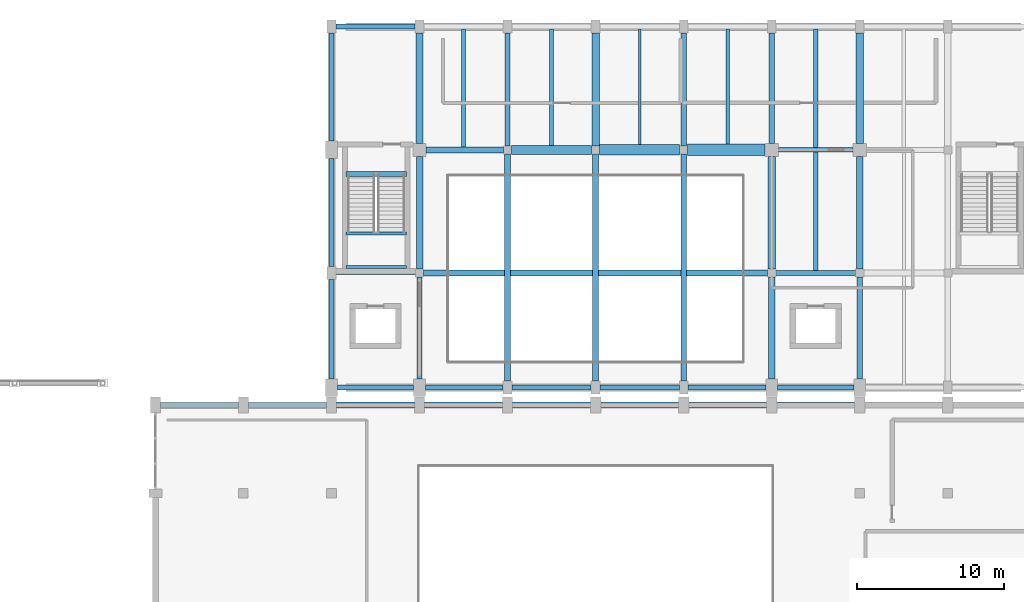
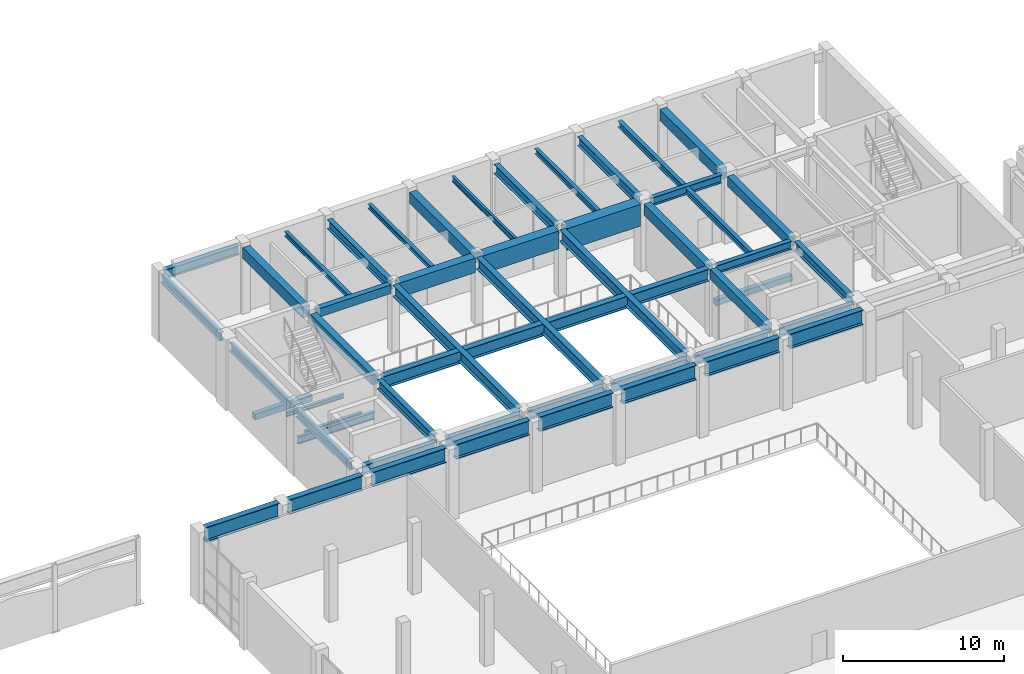
# One storey, part 17 of 41: 51 beams.
"""IFC4 building model written with IfcOpenShell, lengths in metres."""

from ifc_helpers import new_model, si_unit, direction, frame, origin, origin_2d, place, context, subcontext, project, spatial, rectangle, i_section, extrude, material, material_profile, profile_set, type_object, element, save


model = new_model("IFC4")

# Units and contexts
model_context = context("Model", 3, precision=1e-05, world=origin(), true_north=direction((0.0, 1.0)))
body_context = subcontext(model_context, "Body", "Model", "MODEL_VIEW")
ifc_project = project(units=[si_unit("LENGTHUNIT", "METRE"), si_unit("AREAUNIT", "SQUARE_METRE"), si_unit("VOLUMEUNIT", "CUBIC_METRE"), si_unit("PLANEANGLEUNIT", "RADIAN"), si_unit("MASSUNIT", "GRAM", prefix="KILO")], contexts=[model_context])

# Site, building, storey
site_placement = place(None, origin())
site = spatial("IfcSite", under=ifc_project, at=site_placement, CompositionType="ELEMENT")
building_placement = place(site_placement, origin())
building = spatial("IfcBuilding", under=site, at=building_placement, Name="Vaelkrest Opera House", CompositionType="ELEMENT")
storey_placement = place(building_placement, frame((0.0, 0.0, 24.60009765625)))
storey = spatial("IfcBuildingStorey", under=building, at=storey_placement, Name="L05", CompositionType="ELEMENT", Elevation=24.60009765625)

# Beams
ifc_material_1 = material(Name="Concrete C50/60", Category="concrete")
ifc_material_profile_1 = material_profile(ifc_material_1, rectangle(XDim=0.39990234375, YDim=0.64990234375, at=origin_2d()), Name="RCB400X650")
ifc_profile_set_1 = profile_set([ifc_material_profile_1], Name="Concrete C50/60")
beam_type_1 = type_object("IfcBeamType", Name="B01", PredefinedType="BEAM", material=ifc_profile_set_1)
beam_1_placement = place(storey_placement, frame((-11.550048828125, 33.60009765625, 4.77978515625), z_axis=(1.0, 0.0, 0.0), x_axis=(0.0, 1.0, 0.0)))
element("IfcBeam", 1, at=beam_1_placement, inside=storey, type_object=beam_type_1, Name="Beam BM-V2-L05-1157", PredefinedType="BEAM", context=body_context, shape_type="SweptSolid", body=[
    extrude(rectangle(XDim=0.39990234375, YDim=0.64990234375, at=origin_2d()), origin(), (0.0, 0.0, 1.0), 5.275146484375),
])
ifc_material_profile_2 = material_profile(ifc_material_1, rectangle(XDim=0.449951171875, YDim=0.75, at=origin_2d()), Name="RCB450X750")
ifc_profile_set_2 = profile_set([ifc_material_profile_2], Name="Concrete C50/60")
beam_type_2 = type_object("IfcBeamType", Name="B02", PredefinedType="BEAM", material=ifc_profile_set_2)
beam_2_placement = place(storey_placement, frame((-12.0, 25.47509765625, 4.72998046875), z_axis=(0.0, 1.0, 0.0), x_axis=(-1.0, 0.0, 0.0)))
element("IfcBeam", 2, at=beam_2_placement, inside=storey, type_object=beam_type_2, Name="Beam BM-V2-L05-1175", PredefinedType="BEAM", context=body_context, shape_type="SweptSolid", body=[
    extrude(rectangle(XDim=0.449951171875, YDim=0.75, at=origin_2d()), origin(), (0.0, 0.0, 1.0), 7.6748046875),
])
beam_3_placement = place(storey_placement, frame((12.0, 18.0, 4.72998046875), z_axis=(0.0, 1.0, 0.0), x_axis=(-1.0, 0.0, 0.0)))
element("IfcBeam", 3, at=beam_3_placement, inside=storey, type_object=beam_type_2, Name="Beam BM-V2-L05-1183", PredefinedType="BEAM", context=body_context, shape_type="SweptSolid", body=[
    extrude(rectangle(XDim=0.449951171875, YDim=0.75, at=origin_2d()), origin(), (0.0, 0.0, 1.0), 6.925048828125),
])
beam_4_placement = place(storey_placement, frame((18.0, 25.47509765625, 4.72998046875), z_axis=(0.0, 1.0, 0.0), x_axis=(-1.0, 0.0, 0.0)))
element("IfcBeam", 4, at=beam_4_placement, inside=storey, type_object=beam_type_2, Name="Beam BM-V2-L05-1187", PredefinedType="BEAM", context=body_context, shape_type="SweptSolid", body=[
    extrude(rectangle(XDim=0.449951171875, YDim=0.75, at=origin_2d()), origin(), (0.0, 0.0, 1.0), 7.6748046875),
])
ifc_material_profile_3 = material_profile(ifc_material_1, rectangle(XDim=0.5, YDim=0.85009765625, at=origin_2d()), Name="RCB500X850")
ifc_profile_set_3 = profile_set([ifc_material_profile_3], Name="Concrete C50/60")
beam_type_3 = type_object("IfcBeamType", Name="B03", PredefinedType="BEAM", material=ifc_profile_set_3)
beam_5_placement = place(storey_placement, frame((-12.0, 34.050048828125, 4.679931640625), z_axis=(0.0, 1.0, 0.0), x_axis=(-1.0, 0.0, 0.0)))
element("IfcBeam", 5, at=beam_5_placement, inside=storey, type_object=beam_type_3, Name="Beam BM-V2-L05-1176", PredefinedType="BEAM", context=body_context, shape_type="SweptSolid", body=[
    extrude(rectangle(XDim=0.5, YDim=0.85009765625, at=origin_2d()), origin(), (0.0, 0.0, 1.0), 7.5),
])
beam_6_placement = place(storey_placement, frame((0.0, 33.875, 4.679931640625), z_axis=(0.0, 1.0, 0.0), x_axis=(-1.0, 0.0, 0.0)))
element("IfcBeam", 6, at=beam_6_placement, inside=storey, type_object=beam_type_3, Name="Beam BM-V2-L05-1180", PredefinedType="BEAM", context=body_context, shape_type="SweptSolid", body=[
    extrude(rectangle(XDim=0.5, YDim=0.85009765625, at=origin_2d()), origin(), (0.0, 0.0, 1.0), 7.675048828125),
])
beam_7_placement = place(storey_placement, frame((12.0, 25.47509765625, 4.679931640625), z_axis=(0.0, 1.0, 0.0), x_axis=(-1.0, 0.0, 0.0)))
element("IfcBeam", 7, at=beam_7_placement, inside=storey, type_object=beam_type_3, Name="Beam BM-V2-L05-1184", PredefinedType="BEAM", context=body_context, shape_type="SweptSolid", body=[
    extrude(rectangle(XDim=0.5, YDim=0.85009765625, at=origin_2d()), origin(), (0.0, 0.0, 1.0), 7.6748046875),
])
beam_8_placement = place(storey_placement, frame((18.0, 34.050048828125, 4.679931640625), z_axis=(0.0, 1.0, 0.0), x_axis=(-1.0, 0.0, 0.0)))
element("IfcBeam", 8, at=beam_8_placement, inside=storey, type_object=beam_type_3, Name="Beam BM-V2-L05-1188", PredefinedType="BEAM", context=body_context, shape_type="SweptSolid", body=[
    extrude(rectangle(XDim=0.5, YDim=0.85009765625, at=origin_2d()), origin(), (0.0, 0.0, 1.0), 7.5),
])
ifc_material_profile_4 = material_profile(ifc_material_1, rectangle(XDim=0.60009765625, YDim=1.10009765625, at=origin_2d()), Name="RCB600X1100")
ifc_profile_set_4 = profile_set([ifc_material_profile_4], Name="Concrete C50/60")
beam_type_4 = type_object("IfcBeamType", Name="B05", PredefinedType="BEAM", material=ifc_profile_set_4)
beam_9_placement = place(storey_placement, frame((-5.72509765625, 33.60009765625, 4.554931640625), z_axis=(1.0, 0.0, 0.0), x_axis=(0.0, 1.0, 0.0)))
element("IfcBeam", 9, at=beam_9_placement, inside=storey, type_object=beam_type_4, Name="Beam BM-V2-L05-1158", PredefinedType="BEAM", context=body_context, shape_type="SweptSolid", body=[
    extrude(rectangle(XDim=0.60009765625, YDim=1.10009765625, at=origin_2d()), origin(), (0.0, 0.0, 1.0), 5.4501953125),
])
ifc_material_profile_5 = material_profile(ifc_material_1, rectangle(XDim=0.699951171875, YDim=1.35009765625, at=origin_2d()), Name="RCB700X1350")
ifc_profile_set_5 = profile_set([ifc_material_profile_5], Name="Concrete C50/60")
beam_type_5 = type_object("IfcBeamType", Name="B06", PredefinedType="BEAM", material=ifc_profile_set_5)
beam_10_placement = place(storey_placement, frame((0.27490234375, 33.60009765625, 4.429931640625), z_axis=(1.0, 0.0, 0.0), x_axis=(0.0, 1.0, 0.0)))
element("IfcBeam", 10, at=beam_10_placement, inside=storey, type_object=beam_type_5, Name="Beam BM-V2-L05-1159", PredefinedType="BEAM", context=body_context, shape_type="SweptSolid", body=[
    extrude(rectangle(XDim=0.699951171875, YDim=1.35009765625, at=origin_2d()), origin(), (0.0, 0.0, 1.0), 5.4501953125),
])
ifc_material_profile_6 = material_profile(ifc_material_1, rectangle(XDim=0.800048828125, YDim=1.64990234375, at=origin_2d()), Name="RCB800X1650")
ifc_profile_set_6 = profile_set([ifc_material_profile_6], Name="Concrete C50/60")
beam_type_6 = type_object("IfcBeamType", Name="B07", PredefinedType="BEAM", material=ifc_profile_set_6)
beam_11_placement = place(storey_placement, frame((6.27490234375, 33.60009765625, 4.27978515625), z_axis=(1.0, 0.0, 0.0), x_axis=(0.0, 1.0, 0.0)))
element("IfcBeam", 11, at=beam_11_placement, inside=storey, type_object=beam_type_6, Name="Beam BM-V2-L05-1160", PredefinedType="BEAM", context=body_context, shape_type="SweptSolid", body=[
    extrude(rectangle(XDim=0.800048828125, YDim=1.64990234375, at=origin_2d()), origin(), (0.0, 0.0, 1.0), 5.275146484375),
])
ifc_material_2 = material(Name="Steel A992 Gr50", Category="steel")
ifc_material_profile_7 = material_profile(ifc_material_2, i_section(OverallWidth=0.323974609375, OverallDepth=0.611083984375, WebThickness=0.0126953125, FlangeThickness=0.01904296875, at=origin_2d()), Name="W24X104")
ifc_profile_set_7 = profile_set([ifc_material_profile_7], Name="Steel A992 Gr50")
beam_type_7 = type_object("IfcBeamType", Name="B08", PredefinedType="BEAM", material=ifc_profile_set_7)
beam_12_placement = place(storey_placement, frame((12.449951171875, 33.60009765625, 4.79931640625), z_axis=(1.0, 0.0, 0.0), x_axis=(0.0, 1.0, 0.0)))
element("IfcBeam", 12, at=beam_12_placement, inside=storey, type_object=beam_type_7, Name="Beam BM-V2-L05-1161", PredefinedType="BEAM", context=body_context, shape_type="SweptSolid", body=[
    extrude(i_section(OverallWidth=0.323974609375, OverallDepth=0.611083984375, WebThickness=0.0126953125, FlangeThickness=0.01904296875, at=origin_2d()), origin(), (0.0, 0.0, 1.0), 5.10009765625),
])
ifc_material_profile_8 = material_profile(ifc_material_2, i_section(OverallWidth=0.35498046875, OverallDepth=0.695068359375, WebThickness=0.015380859375, FlangeThickness=0.02490234375, at=origin_2d()), Name="W27X146")
ifc_profile_set_8 = profile_set([ifc_material_profile_8], Name="Steel A992 Gr50")
beam_type_8 = type_object("IfcBeamType", Name="B10", PredefinedType="BEAM", material=ifc_profile_set_8)
beam_13_placement = place(storey_placement, frame((12.0, 34.050048828125, 4.75732421875), z_axis=(0.0, 1.0, 0.0), x_axis=(-1.0, 0.0, 0.0)))
element("IfcBeam", 13, at=beam_13_placement, inside=storey, type_object=beam_type_8, Name="Beam BM-V2-L05-1185", PredefinedType="BEAM", context=body_context, shape_type="SweptSolid", body=[
    extrude(i_section(OverallWidth=0.35498046875, OverallDepth=0.695068359375, WebThickness=0.015380859375, FlangeThickness=0.02490234375, at=origin_2d()), origin(), (0.0, 0.0, 1.0), 7.5),
])
ifc_material_profile_9 = material_profile(ifc_material_2, i_section(OverallWidth=0.39892578125, OverallDepth=0.85498046875, WebThickness=0.018310546875, FlangeThickness=0.029296875, at=origin_2d()), Name="W33X201")
ifc_profile_set_9 = profile_set([ifc_material_profile_9], Name="Steel A992 Gr50")
beam_type_9 = type_object("IfcBeamType", Name="B12", PredefinedType="BEAM", material=ifc_profile_set_9)
for number, where, z_axis, x_axis, name in (
    (14, (-6.0, 17.85009765625, 4.677490234375), (0.0, 1.0, 0.0), (-1.0, 0.0, 0.0), "Beam BM-V2-L05-1177"),
    (15, (0.0, 17.85009765625, 4.677490234375), (0.0, 1.0, 0.0), (-1.0, 0.0, 0.0), "Beam BM-V2-L05-1179"),
    (16, (6.0, 17.85009765625, 4.677490234375), (0.0, 1.0, 0.0), (-1.0, 0.0, 0.0), "Beam BM-V2-L05-1181"),
):
    element("IfcBeam", number, at=place(storey_placement, frame(where, z_axis=z_axis, x_axis=x_axis)), inside=storey, type_object=beam_type_9, Name=name, PredefinedType="BEAM", context=body_context, shape_type="SweptSolid", body=[
        extrude(i_section(OverallWidth=0.39892578125, OverallDepth=0.85498046875, WebThickness=0.018310546875, FlangeThickness=0.029296875, at=origin_2d()), origin(), (0.0, 0.0, 1.0), 15.474853515625),
    ])
ifc_material_profile_10 = material_profile(ifc_material_2, i_section(OverallWidth=0.41796875, OverallDepth=0.927001953125, WebThickness=0.019287109375, FlangeThickness=0.031982421875, at=origin_2d()), Name="W36X231")
ifc_profile_set_10 = profile_set([ifc_material_profile_10], Name="Steel A992 Gr50")
beam_type_10 = type_object("IfcBeamType", Name="B13", PredefinedType="BEAM", material=ifc_profile_set_10)
beam_14_placement = place(storey_placement, frame((-11.72509765625, 25.199951171875, 4.641357421875), z_axis=(1.0, 0.0, 0.0), x_axis=(0.0, 1.0, 0.0)))
element("IfcBeam", 17, at=beam_14_placement, inside=storey, type_object=beam_type_10, Name="Beam BM-V2-L05-1154", PredefinedType="BEAM", context=body_context, shape_type="SweptSolid", body=[
    extrude(i_section(OverallWidth=0.41796875, OverallDepth=0.927001953125, WebThickness=0.019287109375, FlangeThickness=0.031982421875, at=origin_2d()), origin(), (0.0, 0.0, 1.0), 23.4501953125),
])
ifc_material_profile_11 = material_profile(ifc_material_2, i_section(OverallWidth=0.35791015625, OverallDepth=0.7060546875, WebThickness=0.018310546875, FlangeThickness=0.0302734375, at=origin_2d()), Name="W27X178")
ifc_profile_set_11 = profile_set([ifc_material_profile_11], Name="Steel A992 Gr50")
beam_type_11 = type_object("IfcBeamType", Name="B14", PredefinedType="BEAM", material=ifc_profile_set_11)
beam_15_placement = place(storey_placement, frame((-12.0, 18.0, 4.751953125), z_axis=(0.0, 1.0, 0.0), x_axis=(-1.0, 0.0, 0.0)))
element("IfcBeam", 18, at=beam_15_placement, inside=storey, type_object=beam_type_11, Name="Beam BM-V2-L05-1174", PredefinedType="BEAM", context=body_context, shape_type="SweptSolid", body=[
    extrude(i_section(OverallWidth=0.35791015625, OverallDepth=0.7060546875, WebThickness=0.018310546875, FlangeThickness=0.0302734375, at=origin_2d()), origin(), (0.0, 0.0, 1.0), 6.925048828125),
])
for number, where, z_axis, x_axis, name in (
    (19, (-6.0, 33.875, 4.751953125), (0.0, 1.0, 0.0), (-1.0, 0.0, 0.0), "Beam BM-V2-L05-1178"),
    (20, (6.0, 33.875, 4.751953125), (0.0, 1.0, 0.0), (-1.0, 0.0, 0.0), "Beam BM-V2-L05-1182"),
):
    element("IfcBeam", number, at=place(storey_placement, frame(where, z_axis=z_axis, x_axis=x_axis)), inside=storey, type_object=beam_type_11, Name=name, PredefinedType="BEAM", context=body_context, shape_type="SweptSolid", body=[
        extrude(i_section(OverallWidth=0.35791015625, OverallDepth=0.7060546875, WebThickness=0.018310546875, FlangeThickness=0.0302734375, at=origin_2d()), origin(), (0.0, 0.0, 1.0), 7.675048828125),
    ])
beam_16_placement = place(storey_placement, frame((18.0, 18.0, 4.751953125), z_axis=(0.0, 1.0, 0.0), x_axis=(-1.0, 0.0, 0.0)))
element("IfcBeam", 21, at=beam_16_placement, inside=storey, type_object=beam_type_11, Name="Beam BM-V2-L05-1186", PredefinedType="BEAM", context=body_context, shape_type="SweptSolid", body=[
    extrude(i_section(OverallWidth=0.35791015625, OverallDepth=0.7060546875, WebThickness=0.018310546875, FlangeThickness=0.0302734375, at=origin_2d()), origin(), (0.0, 0.0, 1.0), 6.925048828125),
])
ifc_material_profile_12 = material_profile(ifc_material_2, i_section(OverallWidth=0.326904296875, OverallDepth=0.6220703125, WebThickness=0.015380859375, FlangeThickness=0.0244140625, at=origin_2d()), Name="W24X131")
ifc_profile_set_12 = profile_set([ifc_material_profile_12], Name="Steel A992 Gr50")
beam_type_12 = type_object("IfcBeamType", Name="B19", PredefinedType="BEAM", material=ifc_profile_set_12)
beam_17_placement = place(storey_placement, frame((12.27490234375, 25.199951171875, 4.7939453125), z_axis=(1.0, 0.0, 0.0), x_axis=(0.0, 1.0, 0.0)))
element("IfcBeam", 22, at=beam_17_placement, inside=storey, type_object=beam_type_12, Name="Beam BM-V2-L05-1155", PredefinedType="BEAM", context=body_context, shape_type="SweptSolid", body=[
    extrude(i_section(OverallWidth=0.326904296875, OverallDepth=0.6220703125, WebThickness=0.015380859375, FlangeThickness=0.0244140625, at=origin_2d()), origin(), (0.0, 0.0, 1.0), 5.4501953125),
])
ifc_material_profile_13 = material_profile(ifc_material_2, i_section(OverallWidth=0.202880859375, OverallDepth=0.302978515625, WebThickness=0.007568359375, FlangeThickness=0.01318359375, at=origin_2d()), Name="W12X40")
ifc_profile_set_13 = profile_set([ifc_material_profile_13], Name="Steel A992 Gr50")
beam_type_13 = type_object("IfcBeamType", Name="J02", PredefinedType="JOIST", material=ifc_profile_set_13)
for number, where, z_axis, x_axis, name in (
    (23, (-17.02001953125, 25.6201171875, 2.348388671875), (1.0, 0.0, 0.0), (0.0, 1.0, 0.0), "Stair landing bearer beam ST05 L05-1N"),
    (24, (-17.02001953125, 27.909912109375, 2.348388671875), (1.0, 0.0, 0.0), (0.0, 1.0, 0.0), "Stair landing bearer beam ST05 L05-1F"),
):
    element("IfcBeam", number, at=place(storey_placement, frame(where, z_axis=z_axis, x_axis=x_axis)), inside=storey, type_object=beam_type_13, Name=name, PredefinedType="JOIST", context=body_context, shape_type="SweptSolid", body=[
        extrude(i_section(OverallWidth=0.202880859375, OverallDepth=0.302978515625, WebThickness=0.007568359375, FlangeThickness=0.01318359375, at=origin_2d()), origin(), (0.0, 0.0, 1.0), 4.14013671875),
    ])
ifc_material_profile_14 = material_profile(ifc_material_2, i_section(OverallWidth=0.2548828125, OverallDepth=0.35693359375, WebThickness=0.010498046875, FlangeThickness=0.018310546875, at=origin_2d()), Name="W14X68")
ifc_profile_set_14 = profile_set([ifc_material_profile_14], Name="Steel A992 Gr50")
beam_type_14 = type_object("IfcBeamType", Name="J05", PredefinedType="JOIST", material=ifc_profile_set_14)
beam_18_placement = place(storey_placement, frame((-9.0, 33.800048828125, 4.926513671875), z_axis=(0.0, 1.0, 0.0), x_axis=(-1.0, 0.0, 0.0)))
element("IfcBeam", 25, at=beam_18_placement, inside=storey, type_object=beam_type_14, Name="Floor joist JST-V2-L05-1195", PredefinedType="JOIST", context=body_context, shape_type="SweptSolid", body=[
    extrude(i_section(OverallWidth=0.2548828125, OverallDepth=0.35693359375, WebThickness=0.010498046875, FlangeThickness=0.018310546875, at=origin_2d()), origin(), (0.0, 0.0, 1.0), 8.0224609375),
])
ifc_material_profile_15 = material_profile(ifc_material_2, i_section(OverallWidth=0.257080078125, OverallDepth=0.363037109375, WebThickness=0.012939453125, FlangeThickness=0.021728515625, at=origin_2d()), Name="W14X82")
ifc_profile_set_15 = profile_set([ifc_material_profile_15], Name="Steel A992 Gr50")
beam_type_15 = type_object("IfcBeamType", Name="J06", PredefinedType="JOIST", material=ifc_profile_set_15)
beam_19_placement = place(storey_placement, frame((-3.0, 33.89990234375, 4.92333984375), z_axis=(0.0, 1.0, 0.0), x_axis=(-1.0, 0.0, 0.0)))
element("IfcBeam", 26, at=beam_19_placement, inside=storey, type_object=beam_type_15, Name="Floor joist JST-V2-L05-1196", PredefinedType="JOIST", context=body_context, shape_type="SweptSolid", body=[
    extrude(i_section(OverallWidth=0.257080078125, OverallDepth=0.363037109375, WebThickness=0.012939453125, FlangeThickness=0.021728515625, at=origin_2d()), origin(), (0.0, 0.0, 1.0), 7.922607421875),
])
ifc_material_profile_16 = material_profile(ifc_material_2, i_section(OverallWidth=0.180908203125, OverallDepth=0.4169921875, WebThickness=0.010986328125, FlangeThickness=0.018310546875, at=origin_2d()), Name="W16X57")
ifc_profile_set_16 = profile_set([ifc_material_profile_16], Name="Steel A992 Gr50")
beam_type_16 = type_object("IfcBeamType", Name="J07", PredefinedType="JOIST", material=ifc_profile_set_16)
beam_20_placement = place(storey_placement, frame((3.0, 33.949951171875, 4.896484375), z_axis=(0.0, 1.0, 0.0), x_axis=(-1.0, 0.0, 0.0)))
element("IfcBeam", 27, at=beam_20_placement, inside=storey, type_object=beam_type_16, Name="Floor joist JST-V2-L05-1197", PredefinedType="JOIST", context=body_context, shape_type="SweptSolid", body=[
    extrude(i_section(OverallWidth=0.180908203125, OverallDepth=0.4169921875, WebThickness=0.010986328125, FlangeThickness=0.018310546875, at=origin_2d()), origin(), (0.0, 0.0, 1.0), 7.87255859375),
])
ifc_material_profile_17 = material_profile(ifc_material_2, i_section(OverallWidth=0.261962890625, OverallDepth=0.4189453125, WebThickness=0.01171875, FlangeThickness=0.019287109375, at=origin_2d()), Name="W16X77")
ifc_profile_set_17 = profile_set([ifc_material_profile_17], Name="Steel A992 Gr50")
beam_type_17 = type_object("IfcBeamType", Name="J08", PredefinedType="JOIST", material=ifc_profile_set_17)
beam_21_placement = place(storey_placement, frame((9.0, 34.0, 4.8955078125), z_axis=(0.0, 1.0, 0.0), x_axis=(-1.0, 0.0, 0.0)))
element("IfcBeam", 28, at=beam_21_placement, inside=storey, type_object=beam_type_17, Name="Floor joist JST-V2-L05-1198", PredefinedType="JOIST", context=body_context, shape_type="SweptSolid", body=[
    extrude(i_section(OverallWidth=0.261962890625, OverallDepth=0.4189453125, WebThickness=0.01171875, FlangeThickness=0.019287109375, at=origin_2d()), origin(), (0.0, 0.0, 1.0), 7.822509765625),
])
ifc_material_profile_18 = material_profile(ifc_material_2, i_section(OverallWidth=0.280029296875, OverallDepth=0.462890625, WebThickness=0.0107421875, FlangeThickness=0.017333984375, at=origin_2d()), Name="W18X76")
ifc_profile_set_18 = profile_set([ifc_material_profile_18], Name="Steel A992 Gr50")
beam_type_18 = type_object("IfcBeamType", Name="J09", PredefinedType="JOIST", material=ifc_profile_set_18)
beam_22_placement = place(storey_placement, frame((15.0, 25.363525390625, 4.873291015625), z_axis=(0.0, 1.0, 0.0), x_axis=(-1.0, 0.0, 0.0)))
element("IfcBeam", 29, at=beam_22_placement, inside=storey, type_object=beam_type_18, Name="Floor joist JST-V2-L05-1199", PredefinedType="JOIST", context=body_context, shape_type="SweptSolid", body=[
    extrude(i_section(OverallWidth=0.280029296875, OverallDepth=0.462890625, WebThickness=0.0107421875, FlangeThickness=0.017333984375, at=origin_2d()), origin(), (0.0, 0.0, 1.0), 8.074462890625),
])
ifc_material_profile_19 = material_profile(ifc_material_2, i_section(OverallWidth=0.282958984375, OverallDepth=0.471923828125, WebThickness=0.013671875, FlangeThickness=0.022216796875, at=origin_2d()), Name="W18X97")
ifc_profile_set_19 = profile_set([ifc_material_profile_19], Name="Steel A992 Gr50")
beam_type_19 = type_object("IfcBeamType", Name="J10", PredefinedType="JOIST", material=ifc_profile_set_19)
beam_23_placement = place(storey_placement, frame((15.0, 33.761962890625, 4.868896484375), z_axis=(0.0, 1.0, 0.0), x_axis=(-1.0, 0.0, 0.0)))
element("IfcBeam", 30, at=beam_23_placement, inside=storey, type_object=beam_type_19, Name="Floor joist JST-V2-L05-1200", PredefinedType="JOIST", context=body_context, shape_type="SweptSolid", body=[
    extrude(i_section(OverallWidth=0.282958984375, OverallDepth=0.471923828125, WebThickness=0.013671875, FlangeThickness=0.022216796875, at=origin_2d()), origin(), (0.0, 0.0, 1.0), 8.060546875),
])
ifc_material_profile_20 = material_profile(ifc_material_1, rectangle(XDim=0.35009765625, YDim=0.449951171875, at=origin_2d()), Name="RCB350X450")
ifc_profile_set_20 = profile_set([ifc_material_profile_20], Name="Concrete C50/60")
beam_type_20 = type_object("IfcBeamType", Name="LN01", PredefinedType="LINTEL", material=ifc_profile_set_20)
beam_24_placement = place(storey_placement, frame((12.25, 25.199951171875, 2.2998046875), z_axis=(1.0, 0.0, 0.0), x_axis=(0.0, 1.0, 0.0)))
element("IfcBeam", 31, at=beam_24_placement, inside=storey, type_object=beam_type_20, Name="Portal lintel L05-1", PredefinedType="LINTEL", context=body_context, shape_type="SweptSolid", body=[
    extrude(rectangle(XDim=0.35009765625, YDim=0.449951171875, at=origin_2d()), origin(), (0.0, 0.0, 1.0), 5.5),
])
beam_25_placement = place(storey_placement, frame((-17.02001953125, 31.949951171875, -0.22509765625), z_axis=(1.0, 0.0, 0.0), x_axis=(0.0, 1.0, 0.0)))
element("IfcBeam", 32, at=beam_25_placement, inside=storey, type_object=beam_type_20, Name="Stairwell trimmer beam ST05 L05", PredefinedType="LINTEL", context=body_context, shape_type="SweptSolid", body=[
    extrude(rectangle(XDim=0.35009765625, YDim=0.449951171875, at=origin_2d()), origin(), (0.0, 0.0, 1.0), 4.14013671875),
])
ifc_material_profile_21 = material_profile(ifc_material_2, i_section(OverallWidth=0.214111328125, OverallDepth=0.549072265625, WebThickness=0.0146484375, FlangeThickness=0.023681640625, at=origin_2d()), Name="W21X93")
ifc_profile_set_21 = profile_set([ifc_material_profile_21], Name="Steel A992 Gr50")
beam_type_21 = type_object("IfcBeamType", Name="LN03", PredefinedType="LINTEL", material=ifc_profile_set_21)
beam_26_placement = place(storey_placement, frame((-17.75, 25.199951171875, 2.2998046875), z_axis=(1.0, 0.0, 0.0), x_axis=(0.0, 1.0, 0.0)))
element("IfcBeam", 33, at=beam_26_placement, inside=storey, type_object=beam_type_21, Name="Portal lintel L05-3", PredefinedType="LINTEL", context=body_context, shape_type="SweptSolid", body=[
    extrude(i_section(OverallWidth=0.214111328125, OverallDepth=0.549072265625, WebThickness=0.0146484375, FlangeThickness=0.023681640625, at=origin_2d()), origin(), (0.0, 0.0, 1.0), 5.5),
])
ifc_material_profile_22 = material_profile(ifc_material_2, i_section(OverallWidth=0.323974609375, OverallDepth=0.611083984375, WebThickness=0.0126953125, FlangeThickness=0.01904296875, at=origin_2d()), Name="W24X104")
ifc_profile_set_22 = profile_set([ifc_material_profile_22], Name="Steel A992 Gr50")
beam_type_22 = type_object("IfcBeamType", Name="SP01", PredefinedType="SPANDREL", material=ifc_profile_set_22)
beam_27_placement = place(storey_placement, frame((-18.0, 18.0, 4.79931640625), z_axis=(0.0, 1.0, 0.0), x_axis=(-1.0, 0.0, 0.0)))
element("IfcBeam", 34, at=beam_27_placement, inside=storey, type_object=beam_type_22, Name="Beam BM-V2-L05-1171", PredefinedType="SPANDREL", context=body_context, shape_type="SweptSolid", body=[
    extrude(i_section(OverallWidth=0.323974609375, OverallDepth=0.611083984375, WebThickness=0.0126953125, FlangeThickness=0.01904296875, at=origin_2d()), origin(), (0.0, 0.0, 1.0), 6.75),
])
for number, where, z_axis, x_axis, name in (
    (35, (-18.0, 25.64990234375, 4.79931640625), (0.0, 1.0, 0.0), (-1.0, 0.0, 0.0), "Beam BM-V2-L05-1172"),
    (36, (-18.0, 34.199951171875, 4.79931640625), (0.0, 1.0, 0.0), (-1.0, 0.0, 0.0), "Beam BM-V2-L05-1173"),
):
    element("IfcBeam", number, at=place(storey_placement, frame(where, z_axis=z_axis, x_axis=x_axis)), inside=storey, type_object=beam_type_22, Name=name, PredefinedType="SPANDREL", context=body_context, shape_type="SweptSolid", body=[
        extrude(i_section(OverallWidth=0.323974609375, OverallDepth=0.611083984375, WebThickness=0.0126953125, FlangeThickness=0.01904296875, at=origin_2d()), origin(), (0.0, 0.0, 1.0), 7.35009765625),
    ])
ifc_material_profile_23 = material_profile(ifc_material_2, i_section(OverallWidth=0.35498046875, OverallDepth=0.695068359375, WebThickness=0.015380859375, FlangeThickness=0.02490234375, at=origin_2d()), Name="W27X146")
ifc_profile_set_23 = profile_set([ifc_material_profile_23], Name="Steel A992 Gr50")
beam_type_23 = type_object("IfcBeamType", Name="SP02", PredefinedType="SPANDREL", material=ifc_profile_set_23)
beam_28_placement = place(storey_placement, frame((-17.60009765625, 17.39990234375, 4.75732421875), z_axis=(1.0, 0.0, 0.0), x_axis=(0.0, 1.0, 0.0)))
element("IfcBeam", 37, at=beam_28_placement, inside=storey, type_object=beam_type_23, Name="Beam BM-V2-L05-1146", PredefinedType="SPANDREL", context=body_context, shape_type="SweptSolid", body=[
    extrude(i_section(OverallWidth=0.35498046875, OverallDepth=0.695068359375, WebThickness=0.015380859375, FlangeThickness=0.02490234375, at=origin_2d()), origin(), (0.0, 0.0, 1.0), 5.2001953125),
])
beam_29_placement = place(storey_placement, frame((-11.60009765625, 17.39990234375, 4.75732421875), z_axis=(1.0, 0.0, 0.0), x_axis=(0.0, 1.0, 0.0)))
element("IfcBeam", 38, at=beam_29_placement, inside=storey, type_object=beam_type_23, Name="Beam BM-V2-L05-1147", PredefinedType="SPANDREL", context=body_context, shape_type="SweptSolid", body=[
    extrude(i_section(OverallWidth=0.35498046875, OverallDepth=0.695068359375, WebThickness=0.015380859375, FlangeThickness=0.02490234375, at=origin_2d()), origin(), (0.0, 0.0, 1.0), 5.300048828125),
])
for number, where, z_axis, x_axis, name in (
    (39, (-5.699951171875, 17.39990234375, 4.75732421875), (1.0, 0.0, 0.0), (0.0, 1.0, 0.0), "Beam BM-V2-L05-1148"),
    (40, (0.300048828125, 17.39990234375, 4.75732421875), (1.0, 0.0, 0.0), (0.0, 1.0, 0.0), "Beam BM-V2-L05-1149"),
):
    element("IfcBeam", number, at=place(storey_placement, frame(where, z_axis=z_axis, x_axis=x_axis)), inside=storey, type_object=beam_type_23, Name=name, PredefinedType="SPANDREL", context=body_context, shape_type="SweptSolid", body=[
        extrude(i_section(OverallWidth=0.35498046875, OverallDepth=0.695068359375, WebThickness=0.015380859375, FlangeThickness=0.02490234375, at=origin_2d()), origin(), (0.0, 0.0, 1.0), 5.39990234375),
    ])
beam_30_placement = place(storey_placement, frame((6.300048828125, 17.39990234375, 4.75732421875), z_axis=(1.0, 0.0, 0.0), x_axis=(0.0, 1.0, 0.0)))
element("IfcBeam", 41, at=beam_30_placement, inside=storey, type_object=beam_type_23, Name="Beam BM-V2-L05-1150", PredefinedType="SPANDREL", context=body_context, shape_type="SweptSolid", body=[
    extrude(i_section(OverallWidth=0.35498046875, OverallDepth=0.695068359375, WebThickness=0.015380859375, FlangeThickness=0.02490234375, at=origin_2d()), origin(), (0.0, 0.0, 1.0), 5.300048828125),
])
beam_31_placement = place(storey_placement, frame((12.39990234375, 17.39990234375, 4.75732421875), z_axis=(1.0, 0.0, 0.0), x_axis=(0.0, 1.0, 0.0)))
element("IfcBeam", 42, at=beam_31_placement, inside=storey, type_object=beam_type_23, Name="Beam BM-V2-L05-1151", PredefinedType="SPANDREL", context=body_context, shape_type="SweptSolid", body=[
    extrude(i_section(OverallWidth=0.35498046875, OverallDepth=0.695068359375, WebThickness=0.015380859375, FlangeThickness=0.02490234375, at=origin_2d()), origin(), (0.0, 0.0, 1.0), 5.2001953125),
])
beam_32_placement = place(storey_placement, frame((-17.699951171875, 42.0, 4.75732421875), z_axis=(1.0, 0.0, 0.0), x_axis=(0.0, 1.0, 0.0)))
element("IfcBeam", 43, at=beam_32_placement, inside=storey, type_object=beam_type_23, Name="Beam BM-V2-L05-1163", PredefinedType="SPANDREL", context=body_context, shape_type="SweptSolid", body=[
    extrude(i_section(OverallWidth=0.35498046875, OverallDepth=0.695068359375, WebThickness=0.015380859375, FlangeThickness=0.02490234375, at=origin_2d()), origin(), (0.0, 0.0, 1.0), 5.39990234375),
])
ifc_material_profile_24 = material_profile(ifc_material_2, i_section(OverallWidth=0.405029296875, OverallDepth=1.117919921875, WebThickness=0.02587890625, FlangeThickness=0.044921875, at=origin_2d()), Name="W44X335")
ifc_profile_set_24 = profile_set([ifc_material_profile_24], Name="Steel A992 Gr50")
beam_type_24 = type_object("IfcBeamType", Name="SP05", PredefinedType="SPANDREL", material=ifc_profile_set_24)
for number, where, z_axis, x_axis, name in (
    (44, (-29.64990234375, 16.199951171875, 4.82080078125), (1.0, 0.0, 0.0), (0.0, 1.0, 0.0), "Beam BM-V1-L05-0637"),
    (45, (-23.64990234375, 16.199951171875, 4.82080078125), (1.0, 0.0, 0.0), (0.0, 1.0, 0.0), "Beam BM-V1-L05-0638"),
    (46, (-17.64990234375, 16.199951171875, 4.82080078125), (1.0, 0.0, 0.0), (0.0, 1.0, 0.0), "Beam BM-V1-L05-0639"),
    (47, (-11.64990234375, 16.199951171875, 4.82080078125), (1.0, 0.0, 0.0), (0.0, 1.0, 0.0), "Beam BM-V1-L05-0640"),
    (48, (-5.64990234375, 16.199951171875, 4.82080078125), (1.0, 0.0, 0.0), (0.0, 1.0, 0.0), "Beam BM-V1-L05-0641"),
    (49, (0.35009765625, 16.199951171875, 4.82080078125), (1.0, 0.0, 0.0), (0.0, 1.0, 0.0), "Beam BM-V1-L05-0642"),
    (50, (6.35009765625, 16.199951171875, 4.82080078125), (1.0, 0.0, 0.0), (0.0, 1.0, 0.0), "Beam BM-V1-L05-0643"),
    (51, (12.35009765625, 16.199951171875, 4.82080078125), (1.0, 0.0, 0.0), (0.0, 1.0, 0.0), "Beam BM-V1-L05-0644"),
):
    element("IfcBeam", number, at=place(storey_placement, frame(where, z_axis=z_axis, x_axis=x_axis)), inside=storey, type_object=beam_type_24, Name=name, PredefinedType="SPANDREL", context=body_context, shape_type="SweptSolid", body=[
        extrude(i_section(OverallWidth=0.405029296875, OverallDepth=1.117919921875, WebThickness=0.02587890625, FlangeThickness=0.044921875, at=origin_2d()), origin(), (0.0, 0.0, 1.0), 5.2998046875),
    ])

save(model, "model.ifc")
